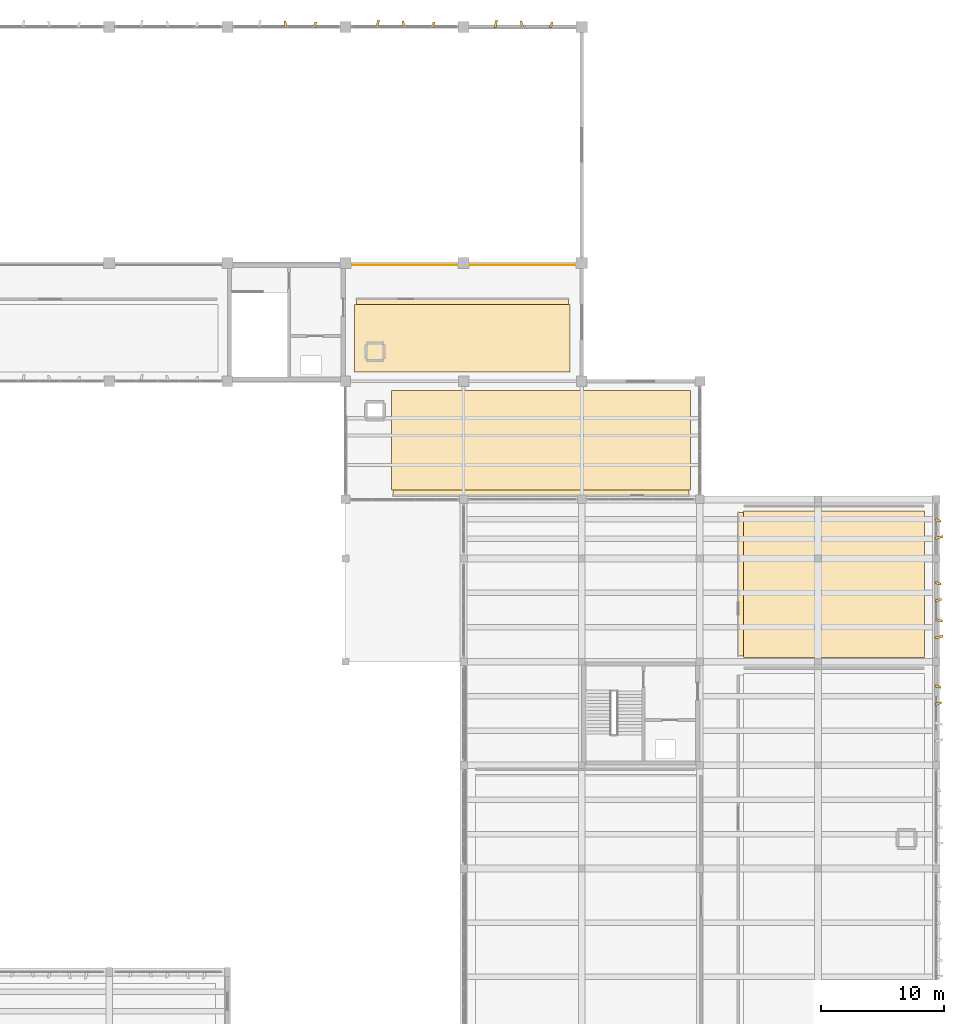
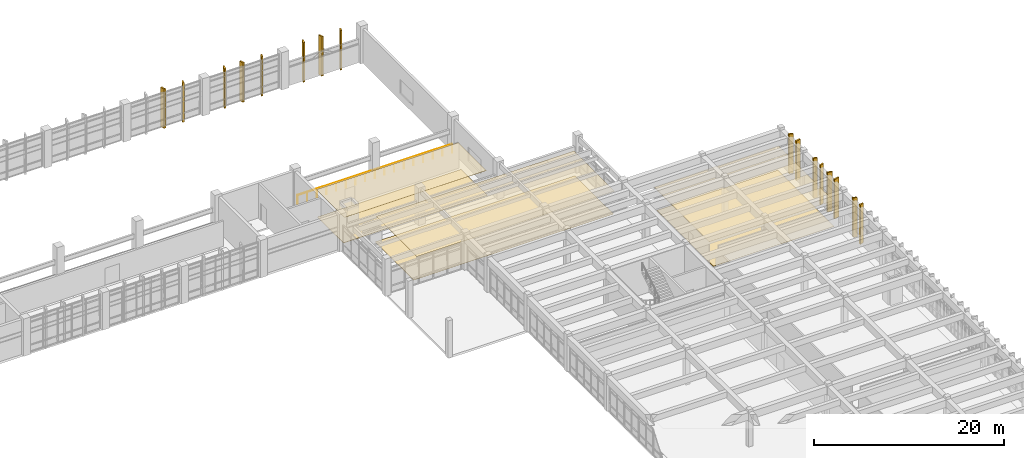
# One storey, part 86 of 86: 22 coverings, 1 railing.
"""IFC4 building model written with IfcOpenShell, lengths in metres."""

from ifc_helpers import new_model, si_unit, direction, frame, origin, origin_2d, place, context, subcontext, project, spatial, polyline, circle, outline, extrude, material, layer, layer_set, type_object, element, save


model = new_model("IFC4")

# Units and contexts
model_context = context("Model", 3, precision=1e-05, world=origin(), true_north=direction((0.0, 1.0)))
body_context = subcontext(model_context, "Body", "Model", "MODEL_VIEW")
ifc_project = project(units=[si_unit("LENGTHUNIT", "METRE"), si_unit("AREAUNIT", "SQUARE_METRE"), si_unit("VOLUMEUNIT", "CUBIC_METRE"), si_unit("PLANEANGLEUNIT", "RADIAN"), si_unit("MASSUNIT", "GRAM", prefix="KILO")], contexts=[model_context])

# Site, building, storey
site_placement = place(None, origin())
site = spatial("IfcSite", under=ifc_project, at=site_placement, CompositionType="ELEMENT")
building_placement = place(site_placement, origin())
building = spatial("IfcBuilding", under=site, at=building_placement, Name="Kolvemor Railside Polytechnic", CompositionType="ELEMENT")
storey_placement = place(building_placement, frame((0.0, 0.0, 5.39990234375)))
storey = spatial("IfcBuildingStorey", under=building, at=storey_placement, Name="L01", CompositionType="ELEMENT", Elevation=5.39990234375)

# Coverings
ifc_material_1 = material(Name="Perforated acoustic mineral-fibre and timber-slat ceiling", Category="wood")
ifc_layer_1 = layer(ifc_material_1, 0.030029296875, Name="COV-CEIL-2")
ifc_layer_set_1 = layer_set([ifc_layer_1], Name="Perforated acoustic mineral-fibre and timber-slat ceiling")
covering_type_1 = type_object("IfcCoveringType", Name="COV-CEIL-2", PredefinedType="CEILING", material=ifc_layer_set_1)
covering_1_placement = place(storey_placement, frame((0.0, 0.0, 3.22998046875)))
element("IfcCovering", 1, at=covering_1_placement, inside=storey, type_object=covering_type_1, Name="Workshop Safety and Technician Suite Acoustic Ceiling", PredefinedType="CEILING", context=body_context, shape_type="SweptSolid", body=[
    extrude(outline(polyline([(138.280029296875, 81.919921875), (162.320068359375, 81.919921875), (162.320068359375, 90.449951171875), (138.280029296875, 90.449951171875), (138.280029296875, 81.919921875)])), origin(), (0.0, 0.0, 1.0), 0.030029296875),
])
covering_2_placement = place(storey_placement, frame((0.0, 0.0, 3.22998046875)))
element("IfcCovering", 2, at=covering_2_placement, inside=storey, type_object=covering_type_1, Name="Union Gallery Public and Accessible WC L01 Acoustic Ceiling", PredefinedType="CEILING", context=body_context, shape_type="SweptSolid", body=[
    extrude(outline(polyline([(166.320068359375, 68.8798828125), (181.449951171875, 68.8798828125), (181.449951171875, 80.52001953125), (166.320068359375, 80.52001953125), (166.320068359375, 68.8798828125)])), origin(), (0.0, 0.0, 1.0), 0.030029296875),
])
ifc_material_2 = material(Name="Perforated acoustic mineral-fibre and timber-slat ceiling", Category="wood")
ifc_layer_2 = layer(ifc_material_2, 0.0400390625, Name="COV-CEIL-4")
ifc_layer_set_2 = layer_set([ifc_layer_2], Name="Perforated acoustic mineral-fibre and timber-slat ceiling")
covering_type_2 = type_object("IfcCoveringType", Name="COV-CEIL-4", PredefinedType="CEILING", material=ifc_layer_set_2)
covering_3_placement = place(storey_placement, frame((0.0, 0.0, 3.22021484375)))
element("IfcCovering", 3, at=covering_3_placement, inside=storey, type_object=covering_type_2, Name="Non-Destructive Testing Laboratory Acoustic Ceiling", PredefinedType="CEILING", context=body_context, shape_type="SweptSolid", body=[
    extrude(outline(polyline([(135.280029296875, 91.949951171875), (152.52001953125, 91.949951171875), (152.52001953125, 97.8798828125), (135.280029296875, 97.8798828125), (135.280029296875, 91.949951171875)])), origin(), (0.0, 0.0, 1.0), 0.039794921875),
])
ifc_material_3 = material(Name="Sea-mist PVDF-anodised marine aluminium 5052-H32", Category="aluminium")
ifc_layer_3 = layer(ifc_material_3, 0.159912109375, Name="COV-FIN-MIST")
ifc_layer_set_3 = layer_set([ifc_layer_3], Name="Sea-mist PVDF-anodised marine aluminium 5052-H32")
covering_type_3 = type_object("IfcCoveringType", Name="COV-FIN-MIST", PredefinedType="CLADDING", material=ifc_layer_set_3)
covering_4_placement = place(storey_placement, frame((0.0, 0.0, -0.27978515625)))
element("IfcCovering", 4, at=covering_4_placement, inside=storey, type_object=covering_type_3, Name="Pleated Solar Fin L01-0056", PredefinedType="CLADDING", context=body_context, shape_type="SweptSolid", body=[
    extrude(outline(polyline([(129.485107421875, 119.965087890625), (129.715087890625, 119.965087890625), (129.5400390625, 120.485107421875), (129.3798828125, 120.485107421875), (129.485107421875, 119.965087890625)])), origin(), (0.0, 0.0, 1.0), 5.079833984375),
])
covering_5_placement = place(storey_placement, frame((0.0, 0.0, -0.27978515625)))
element("IfcCovering", 5, at=covering_5_placement, inside=storey, type_object=covering_type_3, Name="Pleated Solar Fin L01-0057", PredefinedType="CLADDING", context=body_context, shape_type="SweptSolid", body=[
    extrude(outline(polyline([(131.735107421875, 119.965087890625), (131.965087890625, 119.965087890625), (132.070068359375, 120.405029296875), (131.909912109375, 120.405029296875), (131.735107421875, 119.965087890625)])), origin(), (0.0, 0.0, 1.0), 5.079833984375),
])
covering_6_placement = place(storey_placement, frame((0.0, 0.0, -0.27978515625)))
element("IfcCovering", 6, at=covering_6_placement, inside=storey, type_object=covering_type_3, Name="Pleated Solar Fin L01-0058", PredefinedType="CLADDING", context=body_context, shape_type="SweptSolid", body=[
    extrude(outline(polyline([(136.8349609375, 119.965087890625), (137.06494140625, 119.965087890625), (137.169921875, 120.56494140625), (137.010009765625, 120.56494140625), (136.8349609375, 119.965087890625)])), origin(), (0.0, 0.0, 1.0), 5.079833984375),
])
covering_7_placement = place(storey_placement, frame((0.0, 0.0, -0.27978515625)))
element("IfcCovering", 7, at=covering_7_placement, inside=storey, type_object=covering_type_3, Name="Pleated Solar Fin L01-0059", PredefinedType="CLADDING", context=body_context, shape_type="SweptSolid", body=[
    extrude(outline(polyline([(139.0849609375, 119.965087890625), (139.31494140625, 119.965087890625), (139.139892578125, 120.485107421875), (138.97998046875, 120.485107421875), (139.0849609375, 119.965087890625)])), origin(), (0.0, 0.0, 1.0), 5.079833984375),
])
covering_8_placement = place(storey_placement, frame((0.0, 0.0, -0.27978515625)))
element("IfcCovering", 8, at=covering_8_placement, inside=storey, type_object=covering_type_3, Name="Pleated Solar Fin L01-0060", PredefinedType="CLADDING", context=body_context, shape_type="SweptSolid", body=[
    extrude(outline(polyline([(141.3349609375, 119.965087890625), (141.56494140625, 119.965087890625), (141.669921875, 120.405029296875), (141.510009765625, 120.405029296875), (141.3349609375, 119.965087890625)])), origin(), (0.0, 0.0, 1.0), 5.079833984375),
])
covering_9_placement = place(storey_placement, frame((0.0, 0.0, -0.27978515625)))
element("IfcCovering", 9, at=covering_9_placement, inside=storey, type_object=covering_type_3, Name="Pleated Solar Fin L01-0061", PredefinedType="CLADDING", context=body_context, shape_type="SweptSolid", body=[
    extrude(outline(polyline([(146.43505859375, 119.965087890625), (146.6650390625, 119.965087890625), (146.77001953125, 120.56494140625), (146.610107421875, 120.56494140625), (146.43505859375, 119.965087890625)])), origin(), (0.0, 0.0, 1.0), 5.079833984375),
])
covering_10_placement = place(storey_placement, frame((0.0, 0.0, -0.27978515625)))
element("IfcCovering", 10, at=covering_10_placement, inside=storey, type_object=covering_type_3, Name="Pleated Solar Fin L01-0062", PredefinedType="CLADDING", context=body_context, shape_type="SweptSolid", body=[
    extrude(outline(polyline([(148.68505859375, 119.965087890625), (148.9150390625, 119.965087890625), (148.739990234375, 120.485107421875), (148.580078125, 120.485107421875), (148.68505859375, 119.965087890625)])), origin(), (0.0, 0.0, 1.0), 5.079833984375),
])
covering_11_placement = place(storey_placement, frame((0.0, 0.0, -0.27978515625)))
element("IfcCovering", 11, at=covering_11_placement, inside=storey, type_object=covering_type_3, Name="Pleated Solar Fin L01-0063", PredefinedType="CLADDING", context=body_context, shape_type="SweptSolid", body=[
    extrude(outline(polyline([(150.93505859375, 119.965087890625), (151.1650390625, 119.965087890625), (151.27001953125, 120.405029296875), (151.110107421875, 120.405029296875), (150.93505859375, 119.965087890625)])), origin(), (0.0, 0.0, 1.0), 5.079833984375),
])
covering_12_placement = place(storey_placement, frame((0.0, 0.0, -0.27978515625)))
element("IfcCovering", 12, at=covering_12_placement, inside=storey, type_object=covering_type_3, Name="Pleated Solar Fin L01-0239", PredefinedType="CLADDING", context=body_context, shape_type="SweptSolid", body=[
    extrude(outline(polyline([(182.364990234375, 64.8349609375), (182.364990234375, 65.06494140625), (182.842041015625, 65.169921875), (182.842041015625, 65.010009765625), (182.364990234375, 64.8349609375)])), origin(), (0.0, 0.0, 1.0), 5.079833984375),
])
covering_13_placement = place(storey_placement, frame((0.0, 0.0, -0.27978515625)))
element("IfcCovering", 13, at=covering_13_placement, inside=storey, type_object=covering_type_3, Name="Pleated Solar Fin L01-0240", PredefinedType="CLADDING", context=body_context, shape_type="SweptSolid", body=[
    extrude(outline(polyline([(182.364990234375, 66.3349609375), (182.364990234375, 66.56494140625), (182.805908203125, 66.389892578125), (182.805908203125, 66.22998046875), (182.364990234375, 66.3349609375)])), origin(), (0.0, 0.0, 1.0), 5.079833984375),
])
covering_14_placement = place(storey_placement, frame((0.0, 0.0, -0.27978515625)))
element("IfcCovering", 14, at=covering_14_placement, inside=storey, type_object=covering_type_3, Name="Pleated Solar Fin L01-0262", PredefinedType="CLADDING", context=body_context, shape_type="SweptSolid", body=[
    extrude(outline(polyline([(182.364990234375, 70.235107421875), (182.364990234375, 70.465087890625), (182.964111328125, 70.570068359375), (182.964111328125, 70.409912109375), (182.364990234375, 70.235107421875)])), origin(), (0.0, 0.0, 1.0), 5.079833984375),
])
covering_15_placement = place(storey_placement, frame((0.0, 0.0, -0.27978515625)))
element("IfcCovering", 15, at=covering_15_placement, inside=storey, type_object=covering_type_3, Name="Pleated Solar Fin L01-0263", PredefinedType="CLADDING", context=body_context, shape_type="SweptSolid", body=[
    extrude(outline(polyline([(182.364990234375, 71.735107421875), (182.364990234375, 71.965087890625), (182.927978515625, 71.7900390625), (182.927978515625, 71.6298828125), (182.364990234375, 71.735107421875)])), origin(), (0.0, 0.0, 1.0), 5.079833984375),
])
covering_16_placement = place(storey_placement, frame((0.0, 0.0, -0.27978515625)))
element("IfcCovering", 16, at=covering_16_placement, inside=storey, type_object=covering_type_3, Name="Pleated Solar Fin L01-0264", PredefinedType="CLADDING", context=body_context, shape_type="SweptSolid", body=[
    extrude(outline(polyline([(182.364990234375, 73.235107421875), (182.364990234375, 73.465087890625), (182.842041015625, 73.570068359375), (182.842041015625, 73.409912109375), (182.364990234375, 73.235107421875)])), origin(), (0.0, 0.0, 1.0), 5.079833984375),
])
covering_17_placement = place(storey_placement, frame((0.0, 0.0, -0.27978515625)))
element("IfcCovering", 17, at=covering_17_placement, inside=storey, type_object=covering_type_3, Name="Pleated Solar Fin L01-0265", PredefinedType="CLADDING", context=body_context, shape_type="SweptSolid", body=[
    extrude(outline(polyline([(182.364990234375, 74.735107421875), (182.364990234375, 74.965087890625), (182.805908203125, 74.7900390625), (182.805908203125, 74.6298828125), (182.364990234375, 74.735107421875)])), origin(), (0.0, 0.0, 1.0), 5.079833984375),
])
covering_18_placement = place(storey_placement, frame((0.0, 0.0, -0.27978515625)))
element("IfcCovering", 18, at=covering_18_placement, inside=storey, type_object=covering_type_3, Name="Pleated Solar Fin L01-0274", PredefinedType="CLADDING", context=body_context, shape_type="SweptSolid", body=[
    extrude(outline(polyline([(182.364990234375, 78.3349609375), (182.364990234375, 78.56494140625), (182.951904296875, 78.669921875), (182.951904296875, 78.510009765625), (182.364990234375, 78.3349609375)])), origin(), (0.0, 0.0, 1.0), 5.079833984375),
])
covering_19_placement = place(storey_placement, frame((0.0, 0.0, -0.27978515625)))
element("IfcCovering", 19, at=covering_19_placement, inside=storey, type_object=covering_type_3, Name="Pleated Solar Fin L01-0275", PredefinedType="CLADDING", context=body_context, shape_type="SweptSolid", body=[
    extrude(outline(polyline([(182.364990234375, 79.8349609375), (182.364990234375, 80.06494140625), (182.818115234375, 79.889892578125), (182.818115234375, 79.72998046875), (182.364990234375, 79.8349609375)])), origin(), (0.0, 0.0, 1.0), 5.079833984375),
])
ifc_material_4 = material(Name="Polished coral-aggregate terrazzo and laboratory epoxy flooring")
ifc_layer_4 = layer(ifc_material_4, 0.02490234375, Name="COV-FLR-2")
ifc_layer_set_4 = layer_set([ifc_layer_4], Name="Polished coral-aggregate terrazzo and laboratory epoxy flooring")
covering_type_4 = type_object("IfcCoveringType", Name="COV-FLR-2", PredefinedType="FLOORING", material=ifc_layer_set_4)
covering_20_placement = place(storey_placement, origin())
element("IfcCovering", 20, at=covering_20_placement, inside=storey, type_object=covering_type_4, Name="Workshop Safety and Technician Suite Floor Finish", PredefinedType="FLOORING", context=body_context, shape_type="SweptSolid", body=[
    extrude(outline(polyline([(138.14990234375, 82.35009765625), (162.449951171875, 82.35009765625), (162.449951171875, 90.449951171875), (138.14990234375, 90.449951171875), (138.14990234375, 82.35009765625)])), origin(), (0.0, 0.0, 1.0), 0.025146484375),
])
covering_21_placement = place(storey_placement, origin())
element("IfcCovering", 21, at=covering_21_placement, inside=storey, type_object=covering_type_4, Name="Union Gallery Public and Accessible WC L01 Floor Finish", PredefinedType="FLOORING", context=body_context, shape_type="SweptSolid", body=[
    extrude(outline(polyline([(166.75, 68.75), (181.449951171875, 68.75), (181.449951171875, 80.64990234375), (166.75, 80.64990234375), (166.75, 68.75)])), origin(), (0.0, 0.0, 1.0), 0.025146484375),
])
ifc_material_5 = material(Name="Polished coral-aggregate terrazzo and laboratory epoxy flooring")
ifc_layer_5 = layer(ifc_material_5, 0.034912109375, Name="COV-FLR-4")
ifc_layer_set_5 = layer_set([ifc_layer_5], Name="Polished coral-aggregate terrazzo and laboratory epoxy flooring")
covering_type_5 = type_object("IfcCoveringType", Name="COV-FLR-4", PredefinedType="FLOORING", material=ifc_layer_set_5)
covering_22_placement = place(storey_placement, origin())
element("IfcCovering", 22, at=covering_22_placement, inside=storey, type_object=covering_type_5, Name="Non-Destructive Testing Laboratory Floor Finish", PredefinedType="FLOORING", context=body_context, shape_type="SweptSolid", body=[
    extrude(outline(polyline([(135.14990234375, 91.949951171875), (152.64990234375, 91.949951171875), (152.64990234375, 97.449951171875), (135.14990234375, 97.449951171875), (135.14990234375, 91.949951171875)])), origin(), (0.0, 0.0, 1.0), 0.03515625),
])

# Railing
ifc_material_6 = material(Name="AISI 316 marine stainless-steel balustrade guard", Category="steel")
railing_type = type_object("IfcRailingType", Name="RLG-GUARD-1120", PredefinedType="BALUSTRADE", material=ifc_material_6)
railing_placement = place(storey_placement, frame((134.60009765625, 100.64990234375, 0.0)))
element("IfcRailing", 23, at=railing_placement, inside=storey, type_object=railing_type, Name="Crane Gallery East Guard GR-067", PredefinedType="BALUSTRADE", context=body_context, shape_type="SweptSolid", body=[
    extrude(circle(Radius=0.02392578125, at=origin_2d()), frame((0.054931640625, 0.0, 1.09619140625), z_axis=(1.0, 0.0, 0.0), x_axis=(0.0, 1.0, 0.0)), (0.0, 0.0, 1.0), 18.689697265625),
    extrude(circle(Radius=0.02099609375, at=origin_2d()), origin(), (0.0, 0.0, 1.0), 1.05712890625),
    extrude(circle(Radius=0.02099609375, at=origin_2d()), frame((1.175048828125, 0.0, 0.0)), (0.0, 0.0, 1.0), 1.05712890625),
    extrude(circle(Radius=0.02099609375, at=origin_2d()), frame((2.35009765625, 0.0, 0.0)), (0.0, 0.0, 1.0), 1.05712890625),
    extrude(circle(Radius=0.02099609375, at=origin_2d()), frame((3.52490234375, 0.0, 0.0)), (0.0, 0.0, 1.0), 1.05712890625),
    extrude(circle(Radius=0.02099609375, at=origin_2d()), frame((4.699951171875, 0.0, 0.0)), (0.0, 0.0, 1.0), 1.05712890625),
    extrude(circle(Radius=0.02099609375, at=origin_2d()), frame((5.875, 0.0, 0.0)), (0.0, 0.0, 1.0), 1.05712890625),
    extrude(circle(Radius=0.02099609375, at=origin_2d()), frame((7.0498046875, 0.0, 0.0)), (0.0, 0.0, 1.0), 1.05712890625),
    extrude(circle(Radius=0.02099609375, at=origin_2d()), frame((8.224853515625, 0.0, 0.0)), (0.0, 0.0, 1.0), 1.05712890625),
    extrude(circle(Radius=0.02099609375, at=origin_2d()), frame((9.39990234375, 0.0, 0.0)), (0.0, 0.0, 1.0), 1.05712890625),
    extrude(circle(Radius=0.02099609375, at=origin_2d()), frame((10.574951171875, 0.0, 0.0)), (0.0, 0.0, 1.0), 1.05712890625),
    extrude(circle(Radius=0.02099609375, at=origin_2d()), frame((11.75, 0.0, 0.0)), (0.0, 0.0, 1.0), 1.05712890625),
    extrude(circle(Radius=0.02099609375, at=origin_2d()), frame((12.9248046875, 0.0, 0.0)), (0.0, 0.0, 1.0), 1.05712890625),
    extrude(circle(Radius=0.02099609375, at=origin_2d()), frame((14.099853515625, 0.0, 0.0)), (0.0, 0.0, 1.0), 1.05712890625),
    extrude(circle(Radius=0.02099609375, at=origin_2d()), frame((15.27490234375, 0.0, 0.0)), (0.0, 0.0, 1.0), 1.05712890625),
    extrude(circle(Radius=0.02099609375, at=origin_2d()), frame((16.44970703125, 0.0, 0.0)), (0.0, 0.0, 1.0), 1.05712890625),
    extrude(circle(Radius=0.02099609375, at=origin_2d()), frame((17.624755859375, 0.0, 0.0)), (0.0, 0.0, 1.0), 1.05712890625),
    extrude(circle(Radius=0.02099609375, at=origin_2d()), frame((18.7998046875, 0.0, 0.0)), (0.0, 0.0, 1.0), 1.05712890625),
])

save(model, "model.ifc")
